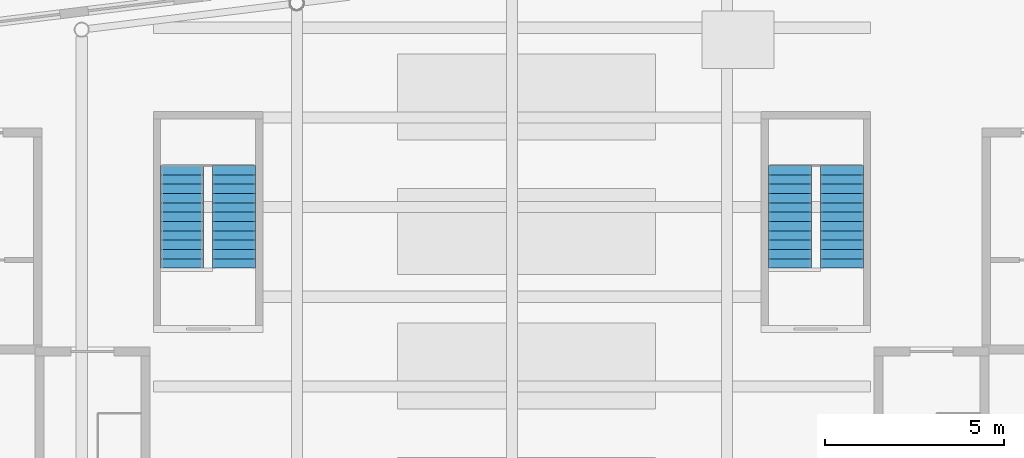
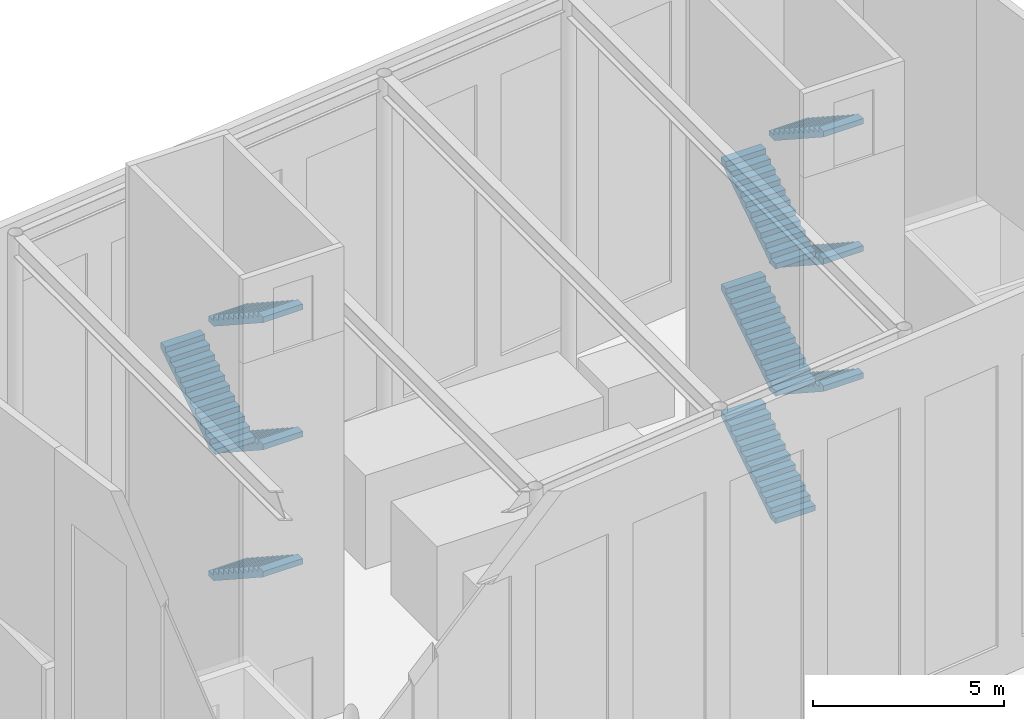
# One storey, part 5 of 7: 10 stair flights, 2 elements without a shape of their own.
"""IFC4 building model written with IfcOpenShell, lengths in metres."""

from ifc_helpers import new_model, si_unit, direction, frame, origin, place, context, subcontext, project, spatial, polyline, outline, extrude, material, type_object, element, aggregate, save


model = new_model("IFC4")

# Units and contexts
model_context = context("Model", 3, precision=1e-05, world=origin(), true_north=direction((0.0, 1.0)))
body_context = subcontext(model_context, "Body", "Model", "MODEL_VIEW")
ifc_project = project(units=[si_unit("LENGTHUNIT", "METRE"), si_unit("AREAUNIT", "SQUARE_METRE"), si_unit("VOLUMEUNIT", "CUBIC_METRE"), si_unit("PLANEANGLEUNIT", "RADIAN"), si_unit("MASSUNIT", "GRAM", prefix="KILO")], contexts=[model_context])

# Site, building, storey
site_placement = place(None, origin())
site = spatial("IfcSite", under=ifc_project, at=site_placement, CompositionType="ELEMENT")
building_placement = place(site_placement, origin())
building = spatial("IfcBuilding", under=site, at=building_placement, Name="Torana Hotel and Residences", CompositionType="ELEMENT")
storey_placement = place(building_placement, frame((0.0, 0.0, 363.39990234375)))
storey = spatial("IfcBuildingStorey", under=building, at=storey_placement, Name="RF", CompositionType="ELEMENT", Elevation=363.39990234375)

# Stair, stair flights
ifc_material_1 = material(Name="Concrete C40/50 precast", Category="concrete")
stair_type_1 = type_object("IfcStairType", Name="STAIR ST6 HALF TURN 1200", PredefinedType="HALF_TURN_STAIR", material=ifc_material_1)
stair_1_placement = place(storey_placement, origin())
stair_1 = element("IfcStair", 1, at=stair_1_placement, inside=storey, type_object=stair_type_1, Name="Stair ST6 to the plant roof", PredefinedType="HALF_TURN_STAIR")
ifc_material_2 = material(Name="Concrete C40/50 precast", Category="concrete")
stair_flight_type = type_object("IfcStairFlightType", Name="STAIR FLIGHT 1200 PRECAST", PredefinedType="STRAIGHT", material=ifc_material_2)
stair_flight_1_placement = place(storey_placement, frame((-7.75, -3.840087890625, 2.033447265625), z_axis=(0.0, 0.0, 1.0), x_axis=(0.0, -1.0, 0.0)))
stair_flight_1 = element("IfcStairFlight", 2, at=stair_flight_1_placement, type_object=stair_flight_type, Name="ST6 flight 2", NumberOfRisers=12, NumberOfTreads=11, PredefinedType="STRAIGHT", RiserHeight=0.169444444, TreadLength=0.26, context=body_context, shape_type="SweptSolid", body=[
    extrude(outline(polyline([(0.0, 0.0), (0.0, 0.16943359375), (0.260009765625, 0.16943359375), (0.260009765625, 0.3388671875), (0.52001953125, 0.3388671875), (0.52001953125, 0.50830078125), (0.780029296875, 0.50830078125), (0.780029296875, 0.677734375), (1.0400390625, 0.677734375), (1.0400390625, 0.84716796875), (1.300048828125, 0.84716796875), (1.300048828125, 1.0166015625), (1.56005859375, 1.0166015625), (1.56005859375, 1.18603515625), (1.820068359375, 1.18603515625), (1.820068359375, 1.35546875), (2.080078125, 1.35546875), (2.080078125, 1.52490234375), (2.340087890625, 1.52490234375), (2.340087890625, 1.6943359375), (2.60009765625, 1.6943359375), (2.60009765625, 1.86376953125), (2.860107421875, 1.86376953125), (2.860107421875, 2.033447265625), (2.860107421875, 1.68505859375), (0.274658203125, 0.0), (0.0, 0.0)])), frame((0.0, 0.60009765625, 0.0), z_axis=(0.0, -1.0, 0.0), x_axis=(1.0, 0.0, 0.0)), (0.0, 0.0, 1.0), 1.199951171875),
])
stair_flight_2_placement = place(storey_placement, frame((-7.75, -3.840087890625, 6.10009765625), z_axis=(0.0, 0.0, 1.0), x_axis=(0.0, -1.0, 0.0)))
stair_flight_2 = element("IfcStairFlight", 3, at=stair_flight_2_placement, type_object=stair_flight_type, Name="ST6 flight 4", NumberOfRisers=12, NumberOfTreads=11, PredefinedType="STRAIGHT", RiserHeight=0.169444444, TreadLength=0.26, context=body_context, shape_type="SweptSolid", body=[
    extrude(outline(polyline([(0.0, 0.0), (0.0, 0.16943359375), (0.260009765625, 0.16943359375), (0.260009765625, 0.3388671875), (0.52001953125, 0.3388671875), (0.52001953125, 0.50830078125), (0.780029296875, 0.50830078125), (0.780029296875, 0.677734375), (1.0400390625, 0.677734375), (1.0400390625, 0.84716796875), (1.300048828125, 0.84716796875), (1.300048828125, 1.0166015625), (1.56005859375, 1.0166015625), (1.56005859375, 1.18603515625), (1.820068359375, 1.18603515625), (1.820068359375, 1.35546875), (2.080078125, 1.35546875), (2.080078125, 1.52490234375), (2.340087890625, 1.52490234375), (2.340087890625, 1.6943359375), (2.60009765625, 1.6943359375), (2.60009765625, 1.86376953125), (2.860107421875, 1.86376953125), (2.860107421875, 2.033447265625), (2.860107421875, 1.68505859375), (0.274658203125, 0.0), (0.0, 0.0)])), frame((0.0, 0.60009765625, 0.0), z_axis=(0.0, -1.0, 0.0), x_axis=(1.0, 0.0, 0.0)), (0.0, 0.0, 1.0), 1.199951171875),
])
stair_flight_3_placement = place(storey_placement, frame((-9.199951171875, -6.699951171875, 8.13330078125), z_axis=(0.0, 0.0, 1.0), x_axis=(0.0, 1.0, 0.0)))
stair_flight_3 = element("IfcStairFlight", 4, at=stair_flight_3_placement, type_object=stair_flight_type, Name="ST6 flight 5", NumberOfRisers=12, NumberOfTreads=11, PredefinedType="STRAIGHT", RiserHeight=0.169444444, TreadLength=0.26, context=body_context, shape_type="SweptSolid", body=[
    extrude(outline(polyline([(0.0, 0.0), (0.0, 0.16943359375), (0.260009765625, 0.16943359375), (0.260009765625, 0.3388671875), (0.52001953125, 0.3388671875), (0.52001953125, 0.50830078125), (0.780029296875, 0.50830078125), (0.780029296875, 0.677734375), (1.0400390625, 0.677734375), (1.0400390625, 0.84716796875), (1.300048828125, 0.84716796875), (1.300048828125, 1.0166015625), (1.56005859375, 1.0166015625), (1.56005859375, 1.18603515625), (1.820068359375, 1.18603515625), (1.820068359375, 1.35546875), (2.080078125, 1.35546875), (2.080078125, 1.52490234375), (2.340087890625, 1.52490234375), (2.340087890625, 1.6943359375), (2.60009765625, 1.6943359375), (2.60009765625, 1.86376953125), (2.860107421875, 1.86376953125), (2.860107421875, 2.033447265625), (2.860107421875, 1.68505859375), (0.274658203125, 0.0), (0.0, 0.0)])), frame((0.0, 0.60009765625, 0.0), z_axis=(0.0, -1.0, 0.0), x_axis=(1.0, 0.0, 0.0)), (0.0, 0.0, 1.0), 1.199951171875),
])
stair_flight_4_placement = place(storey_placement, frame((-7.75, -3.840087890625, 10.166748046875), z_axis=(0.0, 0.0, 1.0), x_axis=(0.0, -1.0, 0.0)))
stair_flight_4 = element("IfcStairFlight", 5, at=stair_flight_4_placement, type_object=stair_flight_type, Name="ST6 flight 6", NumberOfRisers=12, NumberOfTreads=11, PredefinedType="STRAIGHT", RiserHeight=0.169444444, TreadLength=0.26, context=body_context, shape_type="SweptSolid", body=[
    extrude(outline(polyline([(0.0, 0.0), (0.0, 0.16943359375), (0.260009765625, 0.16943359375), (0.260009765625, 0.3388671875), (0.52001953125, 0.3388671875), (0.52001953125, 0.50830078125), (0.780029296875, 0.50830078125), (0.780029296875, 0.677734375), (1.0400390625, 0.677734375), (1.0400390625, 0.84716796875), (1.300048828125, 0.84716796875), (1.300048828125, 1.0166015625), (1.56005859375, 1.0166015625), (1.56005859375, 1.18603515625), (1.820068359375, 1.18603515625), (1.820068359375, 1.35546875), (2.080078125, 1.35546875), (2.080078125, 1.52490234375), (2.340087890625, 1.52490234375), (2.340087890625, 1.6943359375), (2.60009765625, 1.6943359375), (2.60009765625, 1.86376953125), (2.860107421875, 1.86376953125), (2.860107421875, 2.033447265625), (2.860107421875, 1.68505859375), (0.274658203125, 0.0), (0.0, 0.0)])), frame((0.0, 0.60009765625, 0.0), z_axis=(0.0, -1.0, 0.0), x_axis=(1.0, 0.0, 0.0)), (0.0, 0.0, 1.0), 1.199951171875),
])
aggregate(stair_1, [stair_flight_1, stair_flight_2, stair_flight_3, stair_flight_4])

ifc_material_3 = material(Name="Concrete C40/50 precast", Category="concrete")
stair_type_2 = type_object("IfcStairType", Name="STAIR ST7 HALF TURN 1200", PredefinedType="HALF_TURN_STAIR", material=ifc_material_3)
stair_2_placement = place(storey_placement, origin())
stair_2 = element("IfcStair", 6, at=stair_2_placement, inside=storey, type_object=stair_type_2, Name="Stair ST7 to the plant roof", PredefinedType="HALF_TURN_STAIR")
stair_flight_5_placement = place(storey_placement, frame((7.75, -6.699951171875, 0.0), z_axis=(0.0, 0.0, 1.0), x_axis=(0.0, 1.0, 0.0)))
stair_flight_5 = element("IfcStairFlight", 7, at=stair_flight_5_placement, type_object=stair_flight_type, Name="ST7 flight 1", NumberOfRisers=12, NumberOfTreads=11, PredefinedType="STRAIGHT", RiserHeight=0.169444444, TreadLength=0.26, context=body_context, shape_type="SweptSolid", body=[
    extrude(outline(polyline([(0.0, 0.0), (0.0, 0.16943359375), (0.260009765625, 0.16943359375), (0.260009765625, 0.3388671875), (0.52001953125, 0.3388671875), (0.52001953125, 0.50830078125), (0.780029296875, 0.50830078125), (0.780029296875, 0.677734375), (1.0400390625, 0.677734375), (1.0400390625, 0.84716796875), (1.300048828125, 0.84716796875), (1.300048828125, 1.0166015625), (1.56005859375, 1.0166015625), (1.56005859375, 1.18603515625), (1.820068359375, 1.18603515625), (1.820068359375, 1.35546875), (2.080078125, 1.35546875), (2.080078125, 1.52490234375), (2.340087890625, 1.52490234375), (2.340087890625, 1.6943359375), (2.60009765625, 1.6943359375), (2.60009765625, 1.86376953125), (2.860107421875, 1.86376953125), (2.860107421875, 2.033447265625), (2.860107421875, 1.68505859375), (0.274658203125, 0.0), (0.0, 0.0)])), frame((0.0, 0.60009765625, 0.0), z_axis=(0.0, -1.0, 0.0), x_axis=(1.0, 0.0, 0.0)), (0.0, 0.0, 1.0), 1.199951171875),
])
stair_flight_6_placement = place(storey_placement, frame((9.199951171875, -3.840087890625, 2.033447265625), z_axis=(0.0, 0.0, 1.0), x_axis=(0.0, -1.0, 0.0)))
stair_flight_6 = element("IfcStairFlight", 8, at=stair_flight_6_placement, type_object=stair_flight_type, Name="ST7 flight 2", NumberOfRisers=12, NumberOfTreads=11, PredefinedType="STRAIGHT", RiserHeight=0.169444444, TreadLength=0.26, context=body_context, shape_type="SweptSolid", body=[
    extrude(outline(polyline([(0.0, 0.0), (0.0, 0.16943359375), (0.260009765625, 0.16943359375), (0.260009765625, 0.3388671875), (0.52001953125, 0.3388671875), (0.52001953125, 0.50830078125), (0.780029296875, 0.50830078125), (0.780029296875, 0.677734375), (1.0400390625, 0.677734375), (1.0400390625, 0.84716796875), (1.300048828125, 0.84716796875), (1.300048828125, 1.0166015625), (1.56005859375, 1.0166015625), (1.56005859375, 1.18603515625), (1.820068359375, 1.18603515625), (1.820068359375, 1.35546875), (2.080078125, 1.35546875), (2.080078125, 1.52490234375), (2.340087890625, 1.52490234375), (2.340087890625, 1.6943359375), (2.60009765625, 1.6943359375), (2.60009765625, 1.86376953125), (2.860107421875, 1.86376953125), (2.860107421875, 2.033447265625), (2.860107421875, 1.68505859375), (0.274658203125, 0.0), (0.0, 0.0)])), frame((0.0, 0.60009765625, 0.0), z_axis=(0.0, -1.0, 0.0), x_axis=(1.0, 0.0, 0.0)), (0.0, 0.0, 1.0), 1.199951171875),
])
stair_flight_7_placement = place(storey_placement, frame((7.75, -6.699951171875, 4.06689453125), z_axis=(0.0, 0.0, 1.0), x_axis=(0.0, 1.0, 0.0)))
stair_flight_7 = element("IfcStairFlight", 9, at=stair_flight_7_placement, type_object=stair_flight_type, Name="ST7 flight 3", NumberOfRisers=12, NumberOfTreads=11, PredefinedType="STRAIGHT", RiserHeight=0.169444444, TreadLength=0.26, context=body_context, shape_type="SweptSolid", body=[
    extrude(outline(polyline([(0.0, 0.0), (0.0, 0.16943359375), (0.260009765625, 0.16943359375), (0.260009765625, 0.3388671875), (0.52001953125, 0.3388671875), (0.52001953125, 0.50830078125), (0.780029296875, 0.50830078125), (0.780029296875, 0.677734375), (1.0400390625, 0.677734375), (1.0400390625, 0.84716796875), (1.300048828125, 0.84716796875), (1.300048828125, 1.0166015625), (1.56005859375, 1.0166015625), (1.56005859375, 1.18603515625), (1.820068359375, 1.18603515625), (1.820068359375, 1.35546875), (2.080078125, 1.35546875), (2.080078125, 1.52490234375), (2.340087890625, 1.52490234375), (2.340087890625, 1.6943359375), (2.60009765625, 1.6943359375), (2.60009765625, 1.86376953125), (2.860107421875, 1.86376953125), (2.860107421875, 2.033447265625), (2.860107421875, 1.68505859375), (0.274658203125, 0.0), (0.0, 0.0)])), frame((0.0, 0.60009765625, 0.0), z_axis=(0.0, -1.0, 0.0), x_axis=(1.0, 0.0, 0.0)), (0.0, 0.0, 1.0), 1.199951171875),
])
stair_flight_8_placement = place(storey_placement, frame((9.199951171875, -3.840087890625, 6.10009765625), z_axis=(0.0, 0.0, 1.0), x_axis=(0.0, -1.0, 0.0)))
stair_flight_8 = element("IfcStairFlight", 10, at=stair_flight_8_placement, type_object=stair_flight_type, Name="ST7 flight 4", NumberOfRisers=12, NumberOfTreads=11, PredefinedType="STRAIGHT", RiserHeight=0.169444444, TreadLength=0.26, context=body_context, shape_type="SweptSolid", body=[
    extrude(outline(polyline([(0.0, 0.0), (0.0, 0.16943359375), (0.260009765625, 0.16943359375), (0.260009765625, 0.3388671875), (0.52001953125, 0.3388671875), (0.52001953125, 0.50830078125), (0.780029296875, 0.50830078125), (0.780029296875, 0.677734375), (1.0400390625, 0.677734375), (1.0400390625, 0.84716796875), (1.300048828125, 0.84716796875), (1.300048828125, 1.0166015625), (1.56005859375, 1.0166015625), (1.56005859375, 1.18603515625), (1.820068359375, 1.18603515625), (1.820068359375, 1.35546875), (2.080078125, 1.35546875), (2.080078125, 1.52490234375), (2.340087890625, 1.52490234375), (2.340087890625, 1.6943359375), (2.60009765625, 1.6943359375), (2.60009765625, 1.86376953125), (2.860107421875, 1.86376953125), (2.860107421875, 2.033447265625), (2.860107421875, 1.68505859375), (0.274658203125, 0.0), (0.0, 0.0)])), frame((0.0, 0.60009765625, 0.0), z_axis=(0.0, -1.0, 0.0), x_axis=(1.0, 0.0, 0.0)), (0.0, 0.0, 1.0), 1.199951171875),
])
stair_flight_9_placement = place(storey_placement, frame((7.75, -6.699951171875, 8.13330078125), z_axis=(0.0, 0.0, 1.0), x_axis=(0.0, 1.0, 0.0)))
stair_flight_9 = element("IfcStairFlight", 11, at=stair_flight_9_placement, type_object=stair_flight_type, Name="ST7 flight 5", NumberOfRisers=12, NumberOfTreads=11, PredefinedType="STRAIGHT", RiserHeight=0.169444444, TreadLength=0.26, context=body_context, shape_type="SweptSolid", body=[
    extrude(outline(polyline([(0.0, 0.0), (0.0, 0.16943359375), (0.260009765625, 0.16943359375), (0.260009765625, 0.3388671875), (0.52001953125, 0.3388671875), (0.52001953125, 0.50830078125), (0.780029296875, 0.50830078125), (0.780029296875, 0.677734375), (1.0400390625, 0.677734375), (1.0400390625, 0.84716796875), (1.300048828125, 0.84716796875), (1.300048828125, 1.0166015625), (1.56005859375, 1.0166015625), (1.56005859375, 1.18603515625), (1.820068359375, 1.18603515625), (1.820068359375, 1.35546875), (2.080078125, 1.35546875), (2.080078125, 1.52490234375), (2.340087890625, 1.52490234375), (2.340087890625, 1.6943359375), (2.60009765625, 1.6943359375), (2.60009765625, 1.86376953125), (2.860107421875, 1.86376953125), (2.860107421875, 2.033447265625), (2.860107421875, 1.68505859375), (0.274658203125, 0.0), (0.0, 0.0)])), frame((0.0, 0.60009765625, 0.0), z_axis=(0.0, -1.0, 0.0), x_axis=(1.0, 0.0, 0.0)), (0.0, 0.0, 1.0), 1.199951171875),
])
stair_flight_10_placement = place(storey_placement, frame((9.199951171875, -3.840087890625, 10.166748046875), z_axis=(0.0, 0.0, 1.0), x_axis=(0.0, -1.0, 0.0)))
stair_flight_10 = element("IfcStairFlight", 12, at=stair_flight_10_placement, type_object=stair_flight_type, Name="ST7 flight 6", NumberOfRisers=12, NumberOfTreads=11, PredefinedType="STRAIGHT", RiserHeight=0.169444444, TreadLength=0.26, context=body_context, shape_type="SweptSolid", body=[
    extrude(outline(polyline([(0.0, 0.0), (0.0, 0.16943359375), (0.260009765625, 0.16943359375), (0.260009765625, 0.3388671875), (0.52001953125, 0.3388671875), (0.52001953125, 0.50830078125), (0.780029296875, 0.50830078125), (0.780029296875, 0.677734375), (1.0400390625, 0.677734375), (1.0400390625, 0.84716796875), (1.300048828125, 0.84716796875), (1.300048828125, 1.0166015625), (1.56005859375, 1.0166015625), (1.56005859375, 1.18603515625), (1.820068359375, 1.18603515625), (1.820068359375, 1.35546875), (2.080078125, 1.35546875), (2.080078125, 1.52490234375), (2.340087890625, 1.52490234375), (2.340087890625, 1.6943359375), (2.60009765625, 1.6943359375), (2.60009765625, 1.86376953125), (2.860107421875, 1.86376953125), (2.860107421875, 2.033447265625), (2.860107421875, 1.68505859375), (0.274658203125, 0.0), (0.0, 0.0)])), frame((0.0, 0.60009765625, 0.0), z_axis=(0.0, -1.0, 0.0), x_axis=(1.0, 0.0, 0.0)), (0.0, 0.0, 1.0), 1.199951171875),
])
aggregate(stair_2, [stair_flight_5, stair_flight_6, stair_flight_7, stair_flight_8, stair_flight_9, stair_flight_10])

save(model, "model.ifc")
